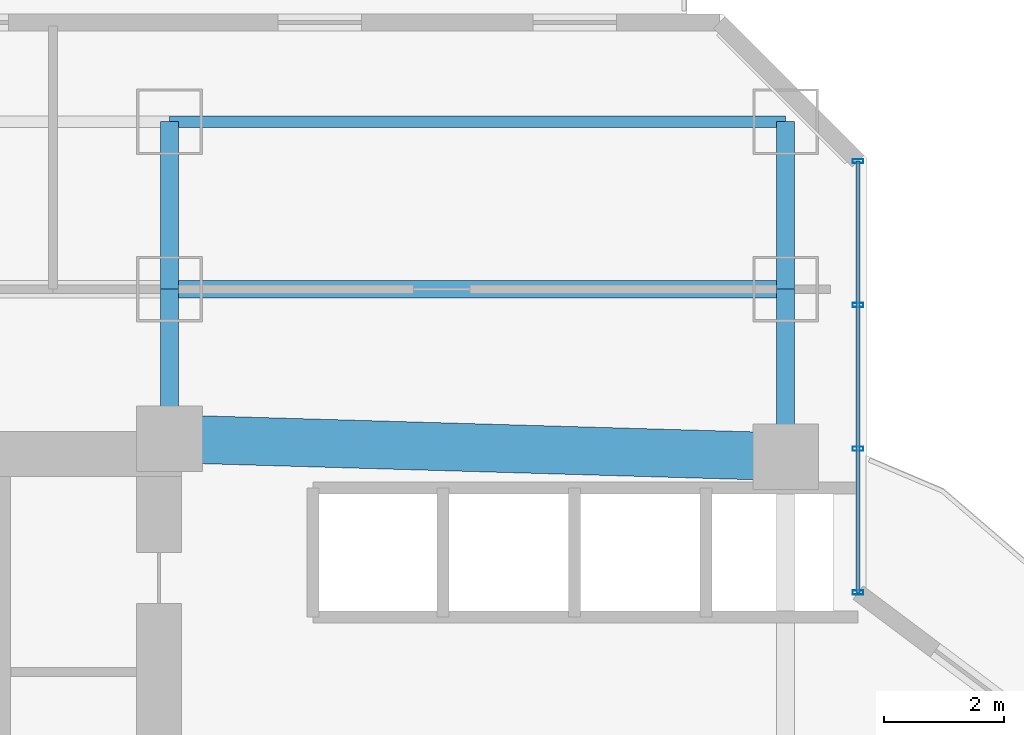
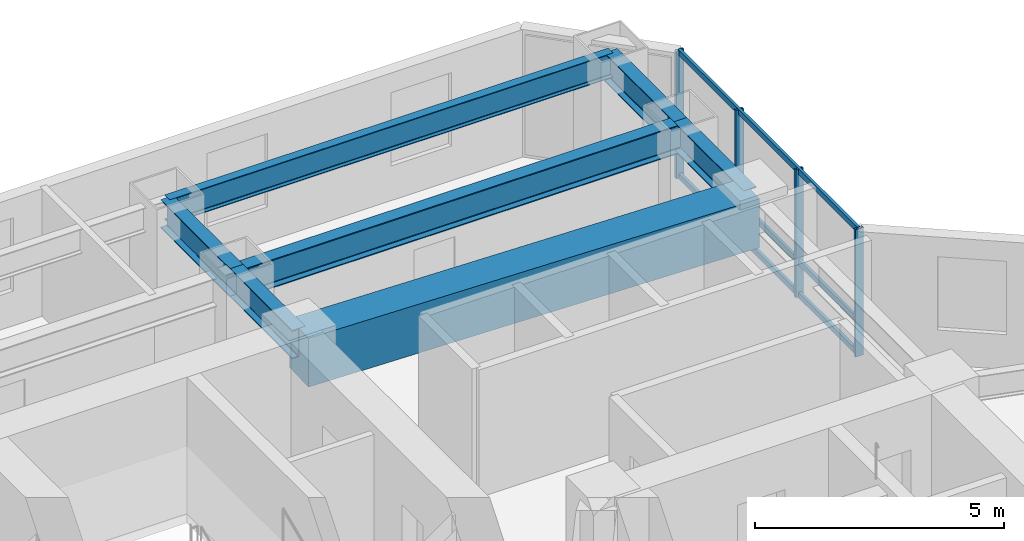
# One storey, part 18 of 33: 7 beams, 7 members, 1 element without a shape of its own.
"""IFC4 building model written with IfcOpenShell, lengths in metres."""

from ifc_helpers import new_model, si_unit, direction, frame, origin, origin_2d, place, context, subcontext, project, spatial, rectangle, hollow_rectangle, i_section, extrude, material, layer, layer_set, material_profile, profile_set, type_object, element, aggregate, save


model = new_model("IFC4")

# Units and contexts
model_context = context("Model", 3, precision=1e-05, world=origin(), true_north=direction((0.0, 1.0)))
body_context = subcontext(model_context, "Body", "Model", "MODEL_VIEW")
ifc_project = project(units=[si_unit("LENGTHUNIT", "METRE"), si_unit("AREAUNIT", "SQUARE_METRE"), si_unit("VOLUMEUNIT", "CUBIC_METRE"), si_unit("PLANEANGLEUNIT", "RADIAN"), si_unit("MASSUNIT", "GRAM", prefix="KILO")], contexts=[model_context])

# Site, building, storey
site_placement = place(None, origin())
site = spatial("IfcSite", under=ifc_project, at=site_placement, CompositionType="ELEMENT")
building_placement = place(site_placement, origin())
building = spatial("IfcBuilding", under=site, at=building_placement, Name="Hatsunagi Terrace Concourse", CompositionType="ELEMENT")
storey_placement = place(building_placement, frame((0.0, 0.0, 56.699951171875)))
storey = spatial("IfcBuildingStorey", under=building, at=storey_placement, Name="L14", CompositionType="ELEMENT", Elevation=56.699951171875)

# Beam
ifc_material_1 = material(Name="Concrete Fc60", Category="concrete")
ifc_material_profile_1 = material_profile(ifc_material_1, rectangle(XDim=0.800048828125, YDim=1.199951171875, at=origin_2d()), Name="RC-800x1200")
ifc_profile_set_1 = profile_set([ifc_material_profile_1], Name="Concrete Fc60")
beam_type_1 = type_object("IfcBeamType", Name="CoreCouplingBeam_RC_800x1200", PredefinedType="BEAM", material=ifc_profile_set_1)
beam_1_placement = place(storey_placement, frame((33.35009765625, 43.300048828125, 2.530029296875), z_axis=(0.999575947545, -0.029119153303, 0.0), x_axis=(0.029119153303, 0.999575947545, 0.0)))
element("IfcBeam", 1, at=beam_1_placement, inside=storey, type_object=beam_type_1, Name="Beam CB-01 CB-L14-2", PredefinedType="BEAM", context=body_context, shape_type="SweptSolid", body=[
    extrude(rectangle(XDim=0.800048828125, YDim=1.199951171875, at=origin_2d()), origin(), (0.0, 0.0, 1.0), 10.30419921875),
])

# Curtain wall, members
ifc_material_2 = material(Name="Anodised Aluminium Alloy 6063-T5", Category="aluminium")
ifc_layer = layer(ifc_material_2, 0.199951171875)
ifc_layer_set = layer_set([ifc_layer], Name="HotelFacade_CW02")
curtain_wall_type = type_object("IfcCurtainWallType", Name="HotelFacade_CW02", PredefinedType="NOTDEFINED", material=ifc_layer_set)
curtain_wall_placement = place(storey_placement, origin())
curtain_wall = element("IfcCurtainWall", 2, at=curtain_wall_placement, inside=storey, type_object=curtain_wall_type, Name="Unitised Curtain Wall CW-02 CW-L14-13", PredefinedType="NOTDEFINED")
ifc_material_3 = material(Name="Anodised Aluminium Alloy 6063-T5", Category="aluminium")
ifc_material_profile_2 = material_profile(ifc_material_3, hollow_rectangle(XDim=0.070068359375, YDim=0.179931640625, WallThickness=0.00390625, at=origin_2d()), Name="ALU-MUL-180x70x4")
ifc_profile_set_2 = profile_set([ifc_material_profile_2], Name="Anodised Aluminium Alloy 6063-T5")
member_type_1 = type_object("IfcMemberType", Name="CurtainWallMullion_180x70", PredefinedType="MULLION", material=ifc_profile_set_2)
member_1_placement = place(storey_placement, frame((44.860107421875, 47.94189453125, 0.0), z_axis=(0.0, 0.0, 1.0), x_axis=(0.0, -1.0, 0.0)))
member_1 = element("IfcMember", 3, at=member_1_placement, type_object=member_type_1, Name="Curtain Wall Mullion MUL-02", PredefinedType="MULLION", context=body_context, shape_type="SweptSolid", body=[
    extrude(hollow_rectangle(XDim=0.070068359375, YDim=0.179931640625, WallThickness=0.00390625, at=origin_2d()), origin(), (0.0, 0.0, 1.0), 3.130126953125),
])
member_2_placement = place(storey_placement, frame((44.860107421875, 45.5380859375, 0.0), z_axis=(0.0, 0.0, 1.0), x_axis=(0.0, -1.0, 0.0)))
member_2 = element("IfcMember", 4, at=member_2_placement, type_object=member_type_1, Name="Curtain Wall Mullion MUL-02", PredefinedType="MULLION", context=body_context, shape_type="SweptSolid", body=[
    extrude(hollow_rectangle(XDim=0.070068359375, YDim=0.179931640625, WallThickness=0.00390625, at=origin_2d()), origin(), (0.0, 0.0, 1.0), 3.130126953125),
])
member_3_placement = place(storey_placement, frame((44.860107421875, 43.134033203125, 0.0), z_axis=(0.0, 0.0, 1.0), x_axis=(0.0, -1.0, 0.0)))
member_3 = element("IfcMember", 5, at=member_3_placement, type_object=member_type_1, Name="Curtain Wall Mullion MUL-02", PredefinedType="MULLION", context=body_context, shape_type="SweptSolid", body=[
    extrude(hollow_rectangle(XDim=0.070068359375, YDim=0.179931640625, WallThickness=0.00390625, at=origin_2d()), origin(), (0.0, 0.0, 1.0), 3.130126953125),
])
member_4_placement = place(storey_placement, frame((44.860107421875, 40.72998046875, 0.0), z_axis=(0.0, 0.0, 1.0), x_axis=(0.0, -1.0, 0.0)))
member_4 = element("IfcMember", 6, at=member_4_placement, type_object=member_type_1, Name="Curtain Wall Mullion MUL-02", PredefinedType="MULLION", context=body_context, shape_type="SweptSolid", body=[
    extrude(hollow_rectangle(XDim=0.070068359375, YDim=0.179931640625, WallThickness=0.00390625, at=origin_2d()), origin(), (0.0, 0.0, 1.0), 3.130126953125),
])
ifc_material_4 = material(Name="Anodised Aluminium Alloy 6063-T5", Category="aluminium")
ifc_material_profile_3 = material_profile(ifc_material_4, hollow_rectangle(XDim=0.06494140625, YDim=0.139892578125, WallThickness=0.00390625, at=origin_2d()), Name="ALU-TRN-140x65x4")
ifc_profile_set_3 = profile_set([ifc_material_profile_3], Name="Anodised Aluminium Alloy 6063-T5")
member_type_2 = type_object("IfcMemberType", Name="CurtainWallTransom_140x65", PredefinedType="USERDEFINED", material=ifc_profile_set_3)
member_5_placement = place(storey_placement, frame((44.860107421875, 47.94189453125, 0.050048828125), z_axis=(0.0, -1.0, 0.0), x_axis=(1.0, 0.0, 0.0)))
member_5 = element("IfcMember", 7, at=member_5_placement, type_object=member_type_2, Name="Curtain Wall Transom TRN-02", ObjectType="TRANSOM", PredefinedType="USERDEFINED", context=body_context, shape_type="SweptSolid", body=[
    extrude(hollow_rectangle(XDim=0.06494140625, YDim=0.139892578125, WallThickness=0.00390625, at=origin_2d()), origin(), (0.0, 0.0, 1.0), 7.2119140625),
])
member_6_placement = place(storey_placement, frame((44.860107421875, 47.94189453125, 0.85009765625), z_axis=(0.0, -1.0, 0.0), x_axis=(1.0, 0.0, 0.0)))
member_6 = element("IfcMember", 8, at=member_6_placement, type_object=member_type_2, Name="Curtain Wall Transom TRN-02", ObjectType="TRANSOM", PredefinedType="USERDEFINED", context=body_context, shape_type="SweptSolid", body=[
    extrude(hollow_rectangle(XDim=0.06494140625, YDim=0.139892578125, WallThickness=0.00390625, at=origin_2d()), origin(), (0.0, 0.0, 1.0), 7.2119140625),
])
member_7_placement = place(storey_placement, frame((44.860107421875, 47.94189453125, 3.080078125), z_axis=(0.0, -1.0, 0.0), x_axis=(1.0, 0.0, 0.0)))
member_7 = element("IfcMember", 9, at=member_7_placement, type_object=member_type_2, Name="Curtain Wall Transom TRN-02", ObjectType="TRANSOM", PredefinedType="USERDEFINED", context=body_context, shape_type="SweptSolid", body=[
    extrude(hollow_rectangle(XDim=0.06494140625, YDim=0.139892578125, WallThickness=0.00390625, at=origin_2d()), origin(), (0.0, 0.0, 1.0), 7.2119140625),
])
aggregate(curtain_wall, [member_1, member_2, member_3, member_4, member_5, member_6, member_7])

# Beams
ifc_material_5 = material(Name="Steel SN490B", Category="steel")
ifc_material_profile_4 = material_profile(ifc_material_5, i_section(OverallWidth=0.300048828125, OverallDepth=0.699951171875, WebThickness=0.012939453125, FlangeThickness=0.02392578125, FilletRadius=0.02197265625, at=origin_2d()), Name="H-700x300x13x24")
ifc_profile_set_4 = profile_set([ifc_material_profile_4], Name="Steel SN490B")
beam_type_2 = type_object("IfcBeamType", Name="HotelFloorGirder_H_700x300", PredefinedType="BEAM", material=ifc_profile_set_4)
beam_2_placement = place(storey_placement, frame((33.35009765625, 43.300048828125, 2.780029296875), z_axis=(0.0, 1.0, 0.0), x_axis=(-1.0, 0.0, 0.0)))
element("IfcBeam", 10, at=beam_2_placement, inside=storey, type_object=beam_type_2, Name="Beam G-04 BM-L14-CN2", PredefinedType="BEAM", context=body_context, shape_type="SweptSolid", body=[
    extrude(i_section(OverallWidth=0.300048828125, OverallDepth=0.699951171875, WebThickness=0.012939453125, FlangeThickness=0.02392578125, FilletRadius=0.02197265625, at=origin_2d()), origin(), (0.0, 0.0, 1.0), 2.5),
])
beam_3_placement = place(storey_placement, frame((43.64990234375, 43.0, 2.780029296875), z_axis=(0.0, 1.0, 0.0), x_axis=(-1.0, 0.0, 0.0)))
element("IfcBeam", 11, at=beam_3_placement, inside=storey, type_object=beam_type_2, Name="Beam G-04 BM-L14-CN3", PredefinedType="BEAM", context=body_context, shape_type="SweptSolid", body=[
    extrude(i_section(OverallWidth=0.300048828125, OverallDepth=0.699951171875, WebThickness=0.012939453125, FlangeThickness=0.02392578125, FilletRadius=0.02197265625, at=origin_2d()), origin(), (0.0, 0.0, 1.0), 2.800048828125),
])
beam_4_placement = place(storey_placement, frame((33.35009765625, 45.800048828125, 2.780029296875), z_axis=(1.0, 0.0, 0.0), x_axis=(0.0, 1.0, 0.0)))
element("IfcBeam", 12, at=beam_4_placement, inside=storey, type_object=beam_type_2, Name="Beam G-04 BM-L14-CNEW2", PredefinedType="BEAM", context=body_context, shape_type="SweptSolid", body=[
    extrude(i_section(OverallWidth=0.300048828125, OverallDepth=0.699951171875, WebThickness=0.012939453125, FlangeThickness=0.02392578125, FilletRadius=0.02197265625, at=origin_2d()), origin(), (0.0, 0.0, 1.0), 10.2998046875),
])
for number, where, z_axis, x_axis, name in (
    (13, (33.35009765625, 45.800048828125, 2.780029296875), (0.0, 1.0, 0.0), (-1.0, 0.0, 0.0), "Beam G-04 BM-L14-KN-WN5"),
    (14, (43.64990234375, 45.800048828125, 2.780029296875), (0.0, 1.0, 0.0), (-1.0, 0.0, 0.0), "Beam G-04 BM-L14-KN-WN6"),
):
    element("IfcBeam", number, at=place(storey_placement, frame(where, z_axis=z_axis, x_axis=x_axis)), inside=storey, type_object=beam_type_2, Name=name, PredefinedType="BEAM", context=body_context, shape_type="SweptSolid", body=[
        extrude(i_section(OverallWidth=0.300048828125, OverallDepth=0.699951171875, WebThickness=0.012939453125, FlangeThickness=0.02392578125, FilletRadius=0.02197265625, at=origin_2d()), origin(), (0.0, 0.0, 1.0), 2.800048828125),
    ])
ifc_material_6 = material(Name="Steel SN490B", Category="steel")
ifc_material_profile_5 = material_profile(ifc_material_6, i_section(OverallWidth=0.199951171875, OverallDepth=0.60009765625, WebThickness=0.010986328125, FlangeThickness=0.01708984375, FilletRadius=0.01806640625, at=origin_2d()), Name="H-600x200x11x17")
ifc_profile_set_5 = profile_set([ifc_material_profile_5], Name="Steel SN490B")
beam_type_3 = type_object("IfcBeamType", Name="PerimeterSpandrel_H_600x200", PredefinedType="SPANDREL", material=ifc_profile_set_5)
beam_5_placement = place(storey_placement, frame((33.35009765625, 48.60009765625, 2.830078125), z_axis=(1.0, 0.0, 0.0), x_axis=(0.0, 1.0, 0.0)))
element("IfcBeam", 15, at=beam_5_placement, inside=storey, type_object=beam_type_3, Name="Beam SP-01 BM-L14-WN-33", PredefinedType="SPANDREL", context=body_context, shape_type="SweptSolid", body=[
    extrude(i_section(OverallWidth=0.199951171875, OverallDepth=0.60009765625, WebThickness=0.010986328125, FlangeThickness=0.01708984375, FilletRadius=0.01806640625, at=origin_2d()), origin(), (0.0, 0.0, 1.0), 10.2998046875),
])

save(model, "model.ifc")
